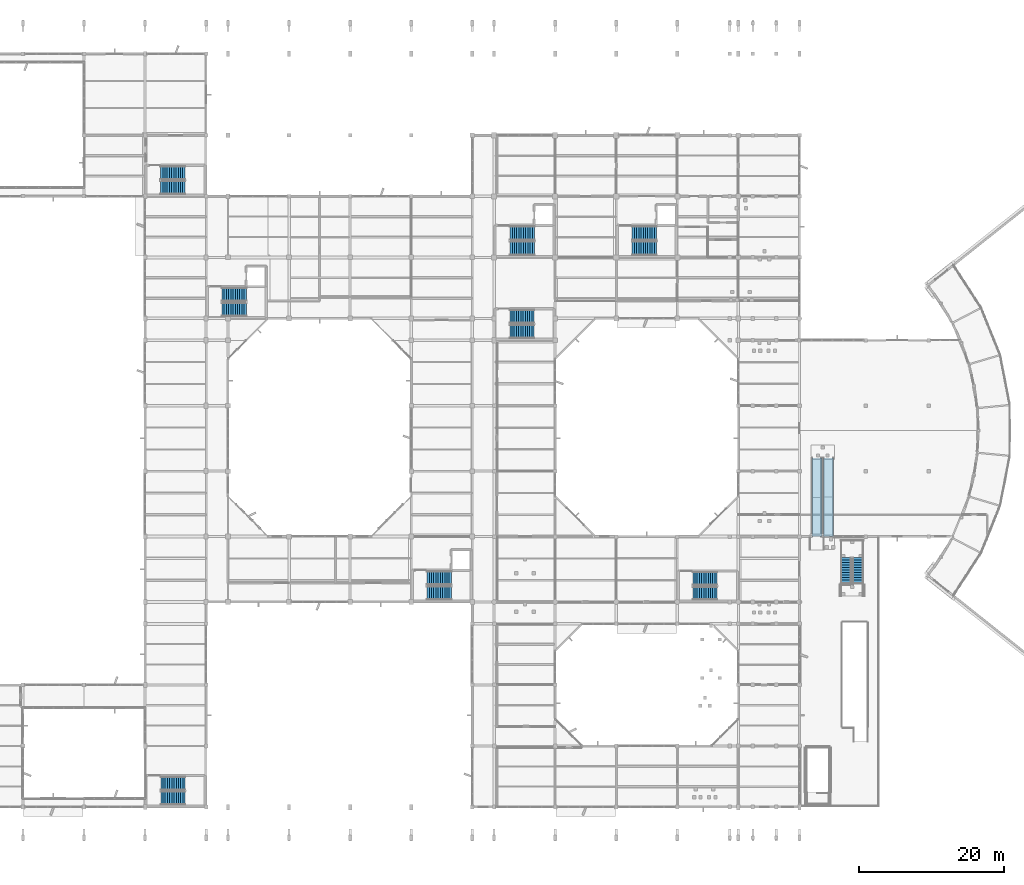
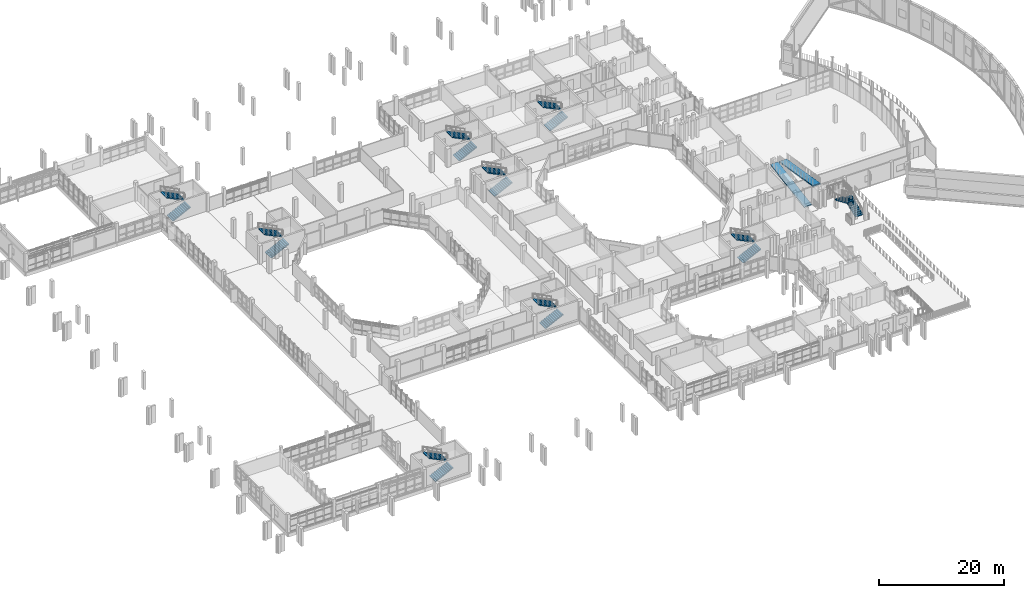
# One storey, part 74 of 104: 18 stair flights, 2 ramp flights, 10 elements without a shape of their own.
"""IFC4 building model written with IfcOpenShell, lengths in metres."""

from ifc_helpers import new_model, si_unit, direction, frame, origin, place, context, subcontext, project, spatial, polyline, outline, extrude, material, layer, layer_set, type_object, element, aggregate, save


model = new_model("IFC4")

# Units and contexts
model_context = context("Model", 3, precision=1e-05, world=origin(), true_north=direction((0.0, 1.0)))
body_context = subcontext(model_context, "Body", "Model", "MODEL_VIEW")
ifc_project = project(units=[si_unit("LENGTHUNIT", "METRE"), si_unit("AREAUNIT", "SQUARE_METRE"), si_unit("VOLUMEUNIT", "CUBIC_METRE"), si_unit("PLANEANGLEUNIT", "RADIAN"), si_unit("MASSUNIT", "GRAM", prefix="KILO")], contexts=[model_context])

# Site, building, storey
site_placement = place(None, origin())
site = spatial("IfcSite", under=ifc_project, at=site_placement, CompositionType="ELEMENT")
building_placement = place(site_placement, origin())
building = spatial("IfcBuilding", under=site, at=building_placement, Name="Vanh Quang Courtyard School", CompositionType="ELEMENT")
storey_placement = place(building_placement, frame((0.0, 0.0, 4.199951171875)))
storey = spatial("IfcBuildingStorey", under=building, at=storey_placement, Name="L01", CompositionType="ELEMENT", Elevation=4.199951171875)

# Stair, stair flights
ifc_material = material(Name="Concrete C30/37", Category="concrete")
stair_type_1 = type_object("IfcStairType", Name="STR-CORE-1450", PredefinedType="HALF_TURN_STAIR", material=ifc_material)
stair_1_placement = place(storey_placement, origin())
stair_1 = element("IfcStair", 1, at=stair_1_placement, inside=storey, type_object=stair_type_1, Name="L01 ST-T2", PredefinedType="HALF_TURN_STAIR")
stair_flight_type_1 = type_object("IfcStairFlightType", Name="FLT-CORE-1450", PredefinedType="STRAIGHT", material=ifc_material)
stair_flight_1_placement = place(storey_placement, frame((127.47509765625, 34.75, 0.0), z_axis=(0.0, 0.0, 1.0), x_axis=(0.0, 1.0, 0.0)))
stair_flight_1 = element("IfcStairFlight", 2, at=stair_flight_1_placement, type_object=stair_flight_type_1, Name="ST-T2 flight 1", NumberOfRisers=12, NumberOfTreads=11, PredefinedType="STRAIGHT", RiserHeight=0.15, TreadLength=0.34, context=body_context, shape_type="SweptSolid", body=[
    extrude(outline(polyline([(0.0, 0.0), (0.0, 0.14990234375), (0.340087890625, 0.14990234375), (0.340087890625, 0.300048828125), (0.679931640625, 0.300048828125), (0.679931640625, 0.449951171875), (1.02001953125, 0.449951171875), (1.02001953125, 0.60009765625), (1.360107421875, 0.60009765625), (1.360107421875, 0.75), (1.699951171875, 0.75), (1.699951171875, 0.89990234375), (2.0400390625, 0.89990234375), (2.0400390625, 1.050048828125), (2.3798828125, 1.050048828125), (2.3798828125, 1.199951171875), (2.719970703125, 1.199951171875), (2.719970703125, 1.35009765625), (3.06005859375, 1.35009765625), (3.06005859375, 1.5), (3.39990234375, 1.5), (3.39990234375, 1.64990234375), (3.739990234375, 1.64990234375), (3.739990234375, 1.800048828125), (3.739990234375, 1.486083984375), (0.371337890625, 0.0), (0.0, 0.0)])), frame((0.0, 0.72509765625, 0.0), z_axis=(0.0, -1.0, 0.0), x_axis=(1.0, 0.0, 0.0)), (0.0, 0.0, 1.0), 1.449951171875),
])
stair_flight_2_placement = place(storey_placement, frame((125.824951171875, 38.489990234375, 1.800048828125), z_axis=(0.0, 0.0, 1.0), x_axis=(0.0, -1.0, 0.0)))
stair_flight_2 = element("IfcStairFlight", 3, at=stair_flight_2_placement, type_object=stair_flight_type_1, Name="ST-T2 flight 2", NumberOfRisers=12, NumberOfTreads=11, PredefinedType="STRAIGHT", RiserHeight=0.15, TreadLength=0.34, context=body_context, shape_type="SweptSolid", body=[
    extrude(outline(polyline([(0.0, 0.0), (0.0, 0.14990234375), (0.340087890625, 0.14990234375), (0.340087890625, 0.300048828125), (0.679931640625, 0.300048828125), (0.679931640625, 0.449951171875), (1.02001953125, 0.449951171875), (1.02001953125, 0.60009765625), (1.360107421875, 0.60009765625), (1.360107421875, 0.75), (1.699951171875, 0.75), (1.699951171875, 0.89990234375), (2.0400390625, 0.89990234375), (2.0400390625, 1.050048828125), (2.3798828125, 1.050048828125), (2.3798828125, 1.199951171875), (2.719970703125, 1.199951171875), (2.719970703125, 1.35009765625), (3.06005859375, 1.35009765625), (3.06005859375, 1.5), (3.39990234375, 1.5), (3.39990234375, 1.64990234375), (3.739990234375, 1.64990234375), (3.739990234375, 1.800048828125), (3.739990234375, 1.486083984375), (0.371337890625, 0.0), (0.0, 0.0)])), frame((0.0, 0.72509765625, 0.0), z_axis=(0.0, -1.0, 0.0), x_axis=(1.0, 0.0, 0.0)), (0.0, 0.0, 1.0), 1.449951171875),
])
aggregate(stair_1, [stair_flight_1, stair_flight_2])

stair_type_2 = type_object("IfcStairType", Name="STR-CORE-1850", PredefinedType="HALF_TURN_STAIR", material=ifc_material)
stair_2_placement = place(storey_placement, origin())
stair_2 = element("IfcStair", 4, at=stair_2_placement, inside=storey, type_object=stair_type_2, Name="L01 ST-07", PredefinedType="HALF_TURN_STAIR")
stair_flight_type_2 = type_object("IfcStairFlightType", Name="FLT-CORE-1850", PredefinedType="STRAIGHT", material=ifc_material)
stair_flight_3_placement = place(storey_placement, frame((31.530029296875, 89.405029296875, 0.0), z_axis=(0.0, 0.0, 1.0), x_axis=(1.0, 0.0, 0.0)))
stair_flight_3 = element("IfcStairFlight", 5, at=stair_flight_3_placement, type_object=stair_flight_type_2, Name="ST-07 flight 1", NumberOfRisers=12, NumberOfTreads=11, PredefinedType="STRAIGHT", RiserHeight=0.15, TreadLength=0.305, context=body_context, shape_type="SweptSolid", body=[
    extrude(outline(polyline([(0.0, 0.0), (0.0, 0.14990234375), (0.304931640625, 0.14990234375), (0.304931640625, 0.300048828125), (0.610107421875, 0.300048828125), (0.610107421875, 0.449951171875), (0.9150390625, 0.449951171875), (0.9150390625, 0.60009765625), (1.219970703125, 0.60009765625), (1.219970703125, 0.75), (1.52490234375, 0.75), (1.52490234375, 0.89990234375), (1.830078125, 0.89990234375), (1.830078125, 1.050048828125), (2.135009765625, 1.050048828125), (2.135009765625, 1.199951171875), (2.43994140625, 1.199951171875), (2.43994140625, 1.35009765625), (2.7451171875, 1.35009765625), (2.7451171875, 1.5), (3.050048828125, 1.5), (3.050048828125, 1.64990234375), (3.35498046875, 1.64990234375), (3.35498046875, 1.800048828125), (3.35498046875, 1.48291015625), (0.339599609375, 0.0), (0.0, 0.0)])), frame((0.0, 0.925048828125, 0.0), z_axis=(0.0, -1.0, 0.0), x_axis=(1.0, 0.0, 0.0)), (0.0, 0.0, 1.0), 1.85009765625),
])
stair_flight_4_placement = place(storey_placement, frame((34.885009765625, 91.4150390625, 1.800048828125), z_axis=(0.0, 0.0, 1.0), x_axis=(-1.0, 0.0, 0.0)))
stair_flight_4 = element("IfcStairFlight", 6, at=stair_flight_4_placement, type_object=stair_flight_type_2, Name="ST-07 flight 2", NumberOfRisers=12, NumberOfTreads=11, PredefinedType="STRAIGHT", RiserHeight=0.15, TreadLength=0.305, context=body_context, shape_type="SweptSolid", body=[
    extrude(outline(polyline([(0.0, 0.0), (0.0, 0.14990234375), (0.304931640625, 0.14990234375), (0.304931640625, 0.300048828125), (0.610107421875, 0.300048828125), (0.610107421875, 0.449951171875), (0.9150390625, 0.449951171875), (0.9150390625, 0.60009765625), (1.219970703125, 0.60009765625), (1.219970703125, 0.75), (1.52490234375, 0.75), (1.52490234375, 0.89990234375), (1.830078125, 0.89990234375), (1.830078125, 1.050048828125), (2.135009765625, 1.050048828125), (2.135009765625, 1.199951171875), (2.43994140625, 1.199951171875), (2.43994140625, 1.35009765625), (2.7451171875, 1.35009765625), (2.7451171875, 1.5), (3.050048828125, 1.5), (3.050048828125, 1.64990234375), (3.35498046875, 1.64990234375), (3.35498046875, 1.800048828125), (3.35498046875, 1.48291015625), (0.339599609375, 0.0), (0.0, 0.0)])), frame((0.0, 0.925048828125, 0.0), z_axis=(0.0, -1.0, 0.0), x_axis=(1.0, 0.0, 0.0)), (0.0, 0.0, 1.0), 1.85009765625),
])
aggregate(stair_2, [stair_flight_3, stair_flight_4])

stair_3_placement = place(storey_placement, origin())
stair_3 = element("IfcStair", 7, at=stair_3_placement, inside=storey, type_object=stair_type_2, Name="L01 ST-08", PredefinedType="HALF_TURN_STAIR")
stair_flight_5_placement = place(storey_placement, frame((104.72998046875, 33.60498046875, 0.0), z_axis=(0.0, 0.0, 1.0), x_axis=(1.0, 0.0, 0.0)))
stair_flight_5 = element("IfcStairFlight", 8, at=stair_flight_5_placement, type_object=stair_flight_type_2, Name="ST-08 flight 1", NumberOfRisers=12, NumberOfTreads=11, PredefinedType="STRAIGHT", RiserHeight=0.15, TreadLength=0.305, context=body_context, shape_type="SweptSolid", body=[
    extrude(outline(polyline([(0.0, 0.0), (0.0, 0.14990234375), (0.304931640625, 0.14990234375), (0.304931640625, 0.300048828125), (0.610107421875, 0.300048828125), (0.610107421875, 0.449951171875), (0.9150390625, 0.449951171875), (0.9150390625, 0.60009765625), (1.219970703125, 0.60009765625), (1.219970703125, 0.75), (1.52490234375, 0.75), (1.52490234375, 0.89990234375), (1.830078125, 0.89990234375), (1.830078125, 1.050048828125), (2.135009765625, 1.050048828125), (2.135009765625, 1.199951171875), (2.43994140625, 1.199951171875), (2.43994140625, 1.35009765625), (2.7451171875, 1.35009765625), (2.7451171875, 1.5), (3.050048828125, 1.5), (3.050048828125, 1.64990234375), (3.35498046875, 1.64990234375), (3.35498046875, 1.800048828125), (3.35498046875, 1.48291015625), (0.339599609375, 0.0), (0.0, 0.0)])), frame((0.0, 0.925048828125, 0.0), z_axis=(0.0, -1.0, 0.0), x_axis=(1.0, 0.0, 0.0)), (0.0, 0.0, 1.0), 1.85009765625),
])
stair_flight_6_placement = place(storey_placement, frame((108.0849609375, 35.614990234375, 1.800048828125), z_axis=(0.0, 0.0, 1.0), x_axis=(-1.0, 0.0, 0.0)))
stair_flight_6 = element("IfcStairFlight", 9, at=stair_flight_6_placement, type_object=stair_flight_type_2, Name="ST-08 flight 2", NumberOfRisers=12, NumberOfTreads=11, PredefinedType="STRAIGHT", RiserHeight=0.15, TreadLength=0.305, context=body_context, shape_type="SweptSolid", body=[
    extrude(outline(polyline([(0.0, 0.0), (0.0, 0.14990234375), (0.304931640625, 0.14990234375), (0.304931640625, 0.300048828125), (0.610107421875, 0.300048828125), (0.610107421875, 0.449951171875), (0.9150390625, 0.449951171875), (0.9150390625, 0.60009765625), (1.219970703125, 0.60009765625), (1.219970703125, 0.75), (1.52490234375, 0.75), (1.52490234375, 0.89990234375), (1.830078125, 0.89990234375), (1.830078125, 1.050048828125), (2.135009765625, 1.050048828125), (2.135009765625, 1.199951171875), (2.43994140625, 1.199951171875), (2.43994140625, 1.35009765625), (2.7451171875, 1.35009765625), (2.7451171875, 1.5), (3.050048828125, 1.5), (3.050048828125, 1.64990234375), (3.35498046875, 1.64990234375), (3.35498046875, 1.800048828125), (3.35498046875, 1.48291015625), (0.339599609375, 0.0), (0.0, 0.0)])), frame((0.0, 0.925048828125, 0.0), z_axis=(0.0, -1.0, 0.0), x_axis=(1.0, 0.0, 0.0)), (0.0, 0.0, 1.0), 1.85009765625),
])
aggregate(stair_3, [stair_flight_5, stair_flight_6])

stair_type_3 = type_object("IfcStairType", Name="STR-CORE-1880", PredefinedType="HALF_TURN_STAIR", material=ifc_material)
stair_4_placement = place(storey_placement, origin())
stair_4 = element("IfcStair", 10, at=stair_4_placement, inside=storey, type_object=stair_type_3, Name="L01 ST-05", PredefinedType="HALF_TURN_STAIR")
stair_flight_type_3 = type_object("IfcStairFlightType", Name="FLT-CORE-1880", PredefinedType="STRAIGHT", material=ifc_material)
stair_flight_7_placement = place(storey_placement, frame((79.56005859375, 69.6201171875, 0.0), z_axis=(0.0, 0.0, 1.0), x_axis=(1.0, 0.0, 0.0)))
stair_flight_7 = element("IfcStairFlight", 11, at=stair_flight_7_placement, type_object=stair_flight_type_3, Name="ST-05 flight 1", NumberOfRisers=12, NumberOfTreads=11, PredefinedType="STRAIGHT", RiserHeight=0.15, TreadLength=0.305, context=body_context, shape_type="SweptSolid", body=[
    extrude(outline(polyline([(0.0, 0.0), (0.0, 0.14990234375), (0.304931640625, 0.14990234375), (0.304931640625, 0.300048828125), (0.610107421875, 0.300048828125), (0.610107421875, 0.449951171875), (0.9150390625, 0.449951171875), (0.9150390625, 0.60009765625), (1.219970703125, 0.60009765625), (1.219970703125, 0.75), (1.52490234375, 0.75), (1.52490234375, 0.89990234375), (1.830078125, 0.89990234375), (1.830078125, 1.050048828125), (2.135009765625, 1.050048828125), (2.135009765625, 1.199951171875), (2.43994140625, 1.199951171875), (2.43994140625, 1.35009765625), (2.7451171875, 1.35009765625), (2.7451171875, 1.5), (3.050048828125, 1.5), (3.050048828125, 1.64990234375), (3.35498046875, 1.64990234375), (3.35498046875, 1.800048828125), (3.35498046875, 1.48291015625), (0.339599609375, 0.0), (0.0, 0.0)])), frame((0.0, 0.93994140625, 0.0), z_axis=(0.0, -1.0, 0.0), x_axis=(1.0, 0.0, 0.0)), (0.0, 0.0, 1.0), 1.8798828125),
])
stair_flight_8_placement = place(storey_placement, frame((82.9150390625, 71.659912109375, 1.800048828125), z_axis=(0.0, 0.0, 1.0), x_axis=(-1.0, 0.0, 0.0)))
stair_flight_8 = element("IfcStairFlight", 12, at=stair_flight_8_placement, type_object=stair_flight_type_3, Name="ST-05 flight 2", NumberOfRisers=12, NumberOfTreads=11, PredefinedType="STRAIGHT", RiserHeight=0.15, TreadLength=0.305, context=body_context, shape_type="SweptSolid", body=[
    extrude(outline(polyline([(0.0, 0.0), (0.0, 0.14990234375), (0.304931640625, 0.14990234375), (0.304931640625, 0.300048828125), (0.610107421875, 0.300048828125), (0.610107421875, 0.449951171875), (0.9150390625, 0.449951171875), (0.9150390625, 0.60009765625), (1.219970703125, 0.60009765625), (1.219970703125, 0.75), (1.52490234375, 0.75), (1.52490234375, 0.89990234375), (1.830078125, 0.89990234375), (1.830078125, 1.050048828125), (2.135009765625, 1.050048828125), (2.135009765625, 1.199951171875), (2.43994140625, 1.199951171875), (2.43994140625, 1.35009765625), (2.7451171875, 1.35009765625), (2.7451171875, 1.5), (3.050048828125, 1.5), (3.050048828125, 1.64990234375), (3.35498046875, 1.64990234375), (3.35498046875, 1.800048828125), (3.35498046875, 1.48291015625), (0.339599609375, 0.0), (0.0, 0.0)])), frame((0.0, 0.93994140625, 0.0), z_axis=(0.0, -1.0, 0.0), x_axis=(1.0, 0.0, 0.0)), (0.0, 0.0, 1.0), 1.8798828125),
])
aggregate(stair_4, [stair_flight_7, stair_flight_8])

stair_5_placement = place(storey_placement, origin())
stair_5 = element("IfcStair", 13, at=stair_5_placement, inside=storey, type_object=stair_type_3, Name="L01 ST-06", PredefinedType="HALF_TURN_STAIR")
stair_flight_9_placement = place(storey_placement, frame((31.56005859375, 5.419921875, 0.0), z_axis=(0.0, 0.0, 1.0), x_axis=(1.0, 0.0, 0.0)))
stair_flight_9 = element("IfcStairFlight", 14, at=stair_flight_9_placement, type_object=stair_flight_type_3, Name="ST-06 flight 1", NumberOfRisers=12, NumberOfTreads=11, PredefinedType="STRAIGHT", RiserHeight=0.15, TreadLength=0.305, context=body_context, shape_type="SweptSolid", body=[
    extrude(outline(polyline([(0.0, 0.0), (0.0, 0.14990234375), (0.304931640625, 0.14990234375), (0.304931640625, 0.300048828125), (0.610107421875, 0.300048828125), (0.610107421875, 0.449951171875), (0.9150390625, 0.449951171875), (0.9150390625, 0.60009765625), (1.219970703125, 0.60009765625), (1.219970703125, 0.75), (1.52490234375, 0.75), (1.52490234375, 0.89990234375), (1.830078125, 0.89990234375), (1.830078125, 1.050048828125), (2.135009765625, 1.050048828125), (2.135009765625, 1.199951171875), (2.43994140625, 1.199951171875), (2.43994140625, 1.35009765625), (2.7451171875, 1.35009765625), (2.7451171875, 1.5), (3.050048828125, 1.5), (3.050048828125, 1.64990234375), (3.35498046875, 1.64990234375), (3.35498046875, 1.800048828125), (3.35498046875, 1.48291015625), (0.339599609375, 0.0), (0.0, 0.0)])), frame((0.0, 0.93994140625, 0.0), z_axis=(0.0, -1.0, 0.0), x_axis=(1.0, 0.0, 0.0)), (0.0, 0.0, 1.0), 1.8798828125),
])
stair_flight_10_placement = place(storey_placement, frame((34.9150390625, 7.4599609375, 1.800048828125), z_axis=(0.0, 0.0, 1.0), x_axis=(-1.0, 0.0, 0.0)))
stair_flight_10 = element("IfcStairFlight", 15, at=stair_flight_10_placement, type_object=stair_flight_type_3, Name="ST-06 flight 2", NumberOfRisers=12, NumberOfTreads=11, PredefinedType="STRAIGHT", RiserHeight=0.15, TreadLength=0.305, context=body_context, shape_type="SweptSolid", body=[
    extrude(outline(polyline([(0.0, 0.0), (0.0, 0.14990234375), (0.304931640625, 0.14990234375), (0.304931640625, 0.300048828125), (0.610107421875, 0.300048828125), (0.610107421875, 0.449951171875), (0.9150390625, 0.449951171875), (0.9150390625, 0.60009765625), (1.219970703125, 0.60009765625), (1.219970703125, 0.75), (1.52490234375, 0.75), (1.52490234375, 0.89990234375), (1.830078125, 0.89990234375), (1.830078125, 1.050048828125), (2.135009765625, 1.050048828125), (2.135009765625, 1.199951171875), (2.43994140625, 1.199951171875), (2.43994140625, 1.35009765625), (2.7451171875, 1.35009765625), (2.7451171875, 1.5), (3.050048828125, 1.5), (3.050048828125, 1.64990234375), (3.35498046875, 1.64990234375), (3.35498046875, 1.800048828125), (3.35498046875, 1.48291015625), (0.339599609375, 0.0), (0.0, 0.0)])), frame((0.0, 0.93994140625, 0.0), z_axis=(0.0, -1.0, 0.0), x_axis=(1.0, 0.0, 0.0)), (0.0, 0.0, 1.0), 1.8798828125),
])
aggregate(stair_5, [stair_flight_9, stair_flight_10])

stair_type_4 = type_object("IfcStairType", Name="STR-CORE-1900", PredefinedType="HALF_TURN_STAIR", material=ifc_material)
stair_6_placement = place(storey_placement, origin())
stair_6 = element("IfcStair", 16, at=stair_6_placement, inside=storey, type_object=stair_type_4, Name="L01 ST-03", PredefinedType="HALF_TURN_STAIR")
stair_flight_type_4 = type_object("IfcStairFlightType", Name="FLT-CORE-1900", PredefinedType="STRAIGHT", material=ifc_material)
stair_flight_11_placement = place(storey_placement, frame((39.97998046875, 72.6298828125, 0.0), z_axis=(0.0, 0.0, 1.0), x_axis=(1.0, 0.0, 0.0)))
stair_flight_11 = element("IfcStairFlight", 17, at=stair_flight_11_placement, type_object=stair_flight_type_4, Name="ST-03 flight 1", NumberOfRisers=12, NumberOfTreads=11, PredefinedType="STRAIGHT", RiserHeight=0.15, TreadLength=0.305, context=body_context, shape_type="SweptSolid", body=[
    extrude(outline(polyline([(0.0, 0.0), (0.0, 0.14990234375), (0.304931640625, 0.14990234375), (0.304931640625, 0.300048828125), (0.610107421875, 0.300048828125), (0.610107421875, 0.449951171875), (0.9150390625, 0.449951171875), (0.9150390625, 0.60009765625), (1.219970703125, 0.60009765625), (1.219970703125, 0.75), (1.52490234375, 0.75), (1.52490234375, 0.89990234375), (1.830078125, 0.89990234375), (1.830078125, 1.050048828125), (2.135009765625, 1.050048828125), (2.135009765625, 1.199951171875), (2.43994140625, 1.199951171875), (2.43994140625, 1.35009765625), (2.7451171875, 1.35009765625), (2.7451171875, 1.5), (3.050048828125, 1.5), (3.050048828125, 1.64990234375), (3.35498046875, 1.64990234375), (3.35498046875, 1.800048828125), (3.35498046875, 1.48291015625), (0.339599609375, 0.0), (0.0, 0.0)])), frame((0.0, 0.949951171875, 0.0), z_axis=(0.0, -1.0, 0.0), x_axis=(1.0, 0.0, 0.0)), (0.0, 0.0, 1.0), 1.89990234375),
])
stair_flight_12_placement = place(storey_placement, frame((43.3349609375, 74.68994140625, 1.800048828125), z_axis=(0.0, 0.0, 1.0), x_axis=(-1.0, 0.0, 0.0)))
stair_flight_12 = element("IfcStairFlight", 18, at=stair_flight_12_placement, type_object=stair_flight_type_4, Name="ST-03 flight 2", NumberOfRisers=12, NumberOfTreads=11, PredefinedType="STRAIGHT", RiserHeight=0.15, TreadLength=0.305, context=body_context, shape_type="SweptSolid", body=[
    extrude(outline(polyline([(0.0, 0.0), (0.0, 0.14990234375), (0.304931640625, 0.14990234375), (0.304931640625, 0.300048828125), (0.610107421875, 0.300048828125), (0.610107421875, 0.449951171875), (0.9150390625, 0.449951171875), (0.9150390625, 0.60009765625), (1.219970703125, 0.60009765625), (1.219970703125, 0.75), (1.52490234375, 0.75), (1.52490234375, 0.89990234375), (1.830078125, 0.89990234375), (1.830078125, 1.050048828125), (2.135009765625, 1.050048828125), (2.135009765625, 1.199951171875), (2.43994140625, 1.199951171875), (2.43994140625, 1.35009765625), (2.7451171875, 1.35009765625), (2.7451171875, 1.5), (3.050048828125, 1.5), (3.050048828125, 1.64990234375), (3.35498046875, 1.64990234375), (3.35498046875, 1.800048828125), (3.35498046875, 1.48291015625), (0.339599609375, 0.0), (0.0, 0.0)])), frame((0.0, 0.949951171875, 0.0), z_axis=(0.0, -1.0, 0.0), x_axis=(1.0, 0.0, 0.0)), (0.0, 0.0, 1.0), 1.89990234375),
])
aggregate(stair_6, [stair_flight_11, stair_flight_12])

stair_7_placement = place(storey_placement, origin())
stair_7 = element("IfcStair", 19, at=stair_7_placement, inside=storey, type_object=stair_type_4, Name="L01 ST-04", PredefinedType="HALF_TURN_STAIR")
stair_flight_13_placement = place(storey_placement, frame((68.179931640625, 33.6298828125, 0.0), z_axis=(0.0, 0.0, 1.0), x_axis=(1.0, 0.0, 0.0)))
stair_flight_13 = element("IfcStairFlight", 20, at=stair_flight_13_placement, type_object=stair_flight_type_4, Name="ST-04 flight 1", NumberOfRisers=12, NumberOfTreads=11, PredefinedType="STRAIGHT", RiserHeight=0.15, TreadLength=0.305, context=body_context, shape_type="SweptSolid", body=[
    extrude(outline(polyline([(0.0, 0.0), (0.0, 0.14990234375), (0.304931640625, 0.14990234375), (0.304931640625, 0.300048828125), (0.610107421875, 0.300048828125), (0.610107421875, 0.449951171875), (0.9150390625, 0.449951171875), (0.9150390625, 0.60009765625), (1.219970703125, 0.60009765625), (1.219970703125, 0.75), (1.52490234375, 0.75), (1.52490234375, 0.89990234375), (1.830078125, 0.89990234375), (1.830078125, 1.050048828125), (2.135009765625, 1.050048828125), (2.135009765625, 1.199951171875), (2.43994140625, 1.199951171875), (2.43994140625, 1.35009765625), (2.7451171875, 1.35009765625), (2.7451171875, 1.5), (3.050048828125, 1.5), (3.050048828125, 1.64990234375), (3.35498046875, 1.64990234375), (3.35498046875, 1.800048828125), (3.35498046875, 1.48291015625), (0.339599609375, 0.0), (0.0, 0.0)])), frame((0.0, 0.949951171875, 0.0), z_axis=(0.0, -1.0, 0.0), x_axis=(1.0, 0.0, 0.0)), (0.0, 0.0, 1.0), 1.89990234375),
])
stair_flight_14_placement = place(storey_placement, frame((71.534912109375, 35.68994140625, 1.800048828125), z_axis=(0.0, 0.0, 1.0), x_axis=(-1.0, 0.0, 0.0)))
stair_flight_14 = element("IfcStairFlight", 21, at=stair_flight_14_placement, type_object=stair_flight_type_4, Name="ST-04 flight 2", NumberOfRisers=12, NumberOfTreads=11, PredefinedType="STRAIGHT", RiserHeight=0.15, TreadLength=0.305, context=body_context, shape_type="SweptSolid", body=[
    extrude(outline(polyline([(0.0, 0.0), (0.0, 0.14990234375), (0.304931640625, 0.14990234375), (0.304931640625, 0.300048828125), (0.610107421875, 0.300048828125), (0.610107421875, 0.449951171875), (0.9150390625, 0.449951171875), (0.9150390625, 0.60009765625), (1.219970703125, 0.60009765625), (1.219970703125, 0.75), (1.52490234375, 0.75), (1.52490234375, 0.89990234375), (1.830078125, 0.89990234375), (1.830078125, 1.050048828125), (2.135009765625, 1.050048828125), (2.135009765625, 1.199951171875), (2.43994140625, 1.199951171875), (2.43994140625, 1.35009765625), (2.7451171875, 1.35009765625), (2.7451171875, 1.5), (3.050048828125, 1.5), (3.050048828125, 1.64990234375), (3.35498046875, 1.64990234375), (3.35498046875, 1.800048828125), (3.35498046875, 1.48291015625), (0.339599609375, 0.0), (0.0, 0.0)])), frame((0.0, 0.949951171875, 0.0), z_axis=(0.0, -1.0, 0.0), x_axis=(1.0, 0.0, 0.0)), (0.0, 0.0, 1.0), 1.89990234375),
])
aggregate(stair_7, [stair_flight_13, stair_flight_14])

stair_type_5 = type_object("IfcStairType", Name="STR-CORE-1920", PredefinedType="HALF_TURN_STAIR", material=ifc_material)
stair_8_placement = place(storey_placement, origin())
stair_8 = element("IfcStair", 22, at=stair_8_placement, inside=storey, type_object=stair_type_5, Name="L01 ST-01", PredefinedType="HALF_TURN_STAIR")
stair_flight_type_5 = type_object("IfcStairFlightType", Name="FLT-CORE-1920", PredefinedType="STRAIGHT", material=ifc_material)
stair_flight_15_placement = place(storey_placement, frame((79.60009765625, 81.0400390625, 0.0), z_axis=(0.0, 0.0, 1.0), x_axis=(1.0, 0.0, 0.0)))
stair_flight_15 = element("IfcStairFlight", 23, at=stair_flight_15_placement, type_object=stair_flight_type_5, Name="ST-01 flight 1", NumberOfRisers=12, NumberOfTreads=11, PredefinedType="STRAIGHT", RiserHeight=0.15, TreadLength=0.305, context=body_context, shape_type="SweptSolid", body=[
    extrude(outline(polyline([(0.0, 0.0), (0.0, 0.14990234375), (0.304931640625, 0.14990234375), (0.304931640625, 0.300048828125), (0.610107421875, 0.300048828125), (0.610107421875, 0.449951171875), (0.9150390625, 0.449951171875), (0.9150390625, 0.60009765625), (1.219970703125, 0.60009765625), (1.219970703125, 0.75), (1.52490234375, 0.75), (1.52490234375, 0.89990234375), (1.830078125, 0.89990234375), (1.830078125, 1.050048828125), (2.135009765625, 1.050048828125), (2.135009765625, 1.199951171875), (2.43994140625, 1.199951171875), (2.43994140625, 1.35009765625), (2.7451171875, 1.35009765625), (2.7451171875, 1.5), (3.050048828125, 1.5), (3.050048828125, 1.64990234375), (3.35498046875, 1.64990234375), (3.35498046875, 1.800048828125), (3.35498046875, 1.48291015625), (0.339599609375, 0.0), (0.0, 0.0)])), frame((0.0, 0.9599609375, 0.0), z_axis=(0.0, -1.0, 0.0), x_axis=(1.0, 0.0, 0.0)), (0.0, 0.0, 1.0), 1.919921875),
])
stair_flight_16_placement = place(storey_placement, frame((82.955078125, 83.1201171875, 1.800048828125), z_axis=(0.0, 0.0, 1.0), x_axis=(-1.0, 0.0, 0.0)))
stair_flight_16 = element("IfcStairFlight", 24, at=stair_flight_16_placement, type_object=stair_flight_type_5, Name="ST-01 flight 2", NumberOfRisers=12, NumberOfTreads=11, PredefinedType="STRAIGHT", RiserHeight=0.15, TreadLength=0.305, context=body_context, shape_type="SweptSolid", body=[
    extrude(outline(polyline([(0.0, 0.0), (0.0, 0.14990234375), (0.304931640625, 0.14990234375), (0.304931640625, 0.300048828125), (0.610107421875, 0.300048828125), (0.610107421875, 0.449951171875), (0.9150390625, 0.449951171875), (0.9150390625, 0.60009765625), (1.219970703125, 0.60009765625), (1.219970703125, 0.75), (1.52490234375, 0.75), (1.52490234375, 0.89990234375), (1.830078125, 0.89990234375), (1.830078125, 1.050048828125), (2.135009765625, 1.050048828125), (2.135009765625, 1.199951171875), (2.43994140625, 1.199951171875), (2.43994140625, 1.35009765625), (2.7451171875, 1.35009765625), (2.7451171875, 1.5), (3.050048828125, 1.5), (3.050048828125, 1.64990234375), (3.35498046875, 1.64990234375), (3.35498046875, 1.800048828125), (3.35498046875, 1.48291015625), (0.339599609375, 0.0), (0.0, 0.0)])), frame((0.0, 0.9599609375, 0.0), z_axis=(0.0, -1.0, 0.0), x_axis=(1.0, 0.0, 0.0)), (0.0, 0.0, 1.0), 1.919921875),
])
aggregate(stair_8, [stair_flight_15, stair_flight_16])

stair_9_placement = place(storey_placement, origin())
stair_9 = element("IfcStair", 25, at=stair_9_placement, inside=storey, type_object=stair_type_5, Name="L01 ST-02", PredefinedType="HALF_TURN_STAIR")
stair_flight_17_placement = place(storey_placement, frame((96.39990234375, 81.0400390625, 0.0), z_axis=(0.0, 0.0, 1.0), x_axis=(1.0, 0.0, 0.0)))
stair_flight_17 = element("IfcStairFlight", 26, at=stair_flight_17_placement, type_object=stair_flight_type_5, Name="ST-02 flight 1", NumberOfRisers=12, NumberOfTreads=11, PredefinedType="STRAIGHT", RiserHeight=0.15, TreadLength=0.305, context=body_context, shape_type="SweptSolid", body=[
    extrude(outline(polyline([(0.0, 0.0), (0.0, 0.14990234375), (0.304931640625, 0.14990234375), (0.304931640625, 0.300048828125), (0.610107421875, 0.300048828125), (0.610107421875, 0.449951171875), (0.9150390625, 0.449951171875), (0.9150390625, 0.60009765625), (1.219970703125, 0.60009765625), (1.219970703125, 0.75), (1.52490234375, 0.75), (1.52490234375, 0.89990234375), (1.830078125, 0.89990234375), (1.830078125, 1.050048828125), (2.135009765625, 1.050048828125), (2.135009765625, 1.199951171875), (2.43994140625, 1.199951171875), (2.43994140625, 1.35009765625), (2.7451171875, 1.35009765625), (2.7451171875, 1.5), (3.050048828125, 1.5), (3.050048828125, 1.64990234375), (3.35498046875, 1.64990234375), (3.35498046875, 1.800048828125), (3.35498046875, 1.48291015625), (0.339599609375, 0.0), (0.0, 0.0)])), frame((0.0, 0.9599609375, 0.0), z_axis=(0.0, -1.0, 0.0), x_axis=(1.0, 0.0, 0.0)), (0.0, 0.0, 1.0), 1.919921875),
])
stair_flight_18_placement = place(storey_placement, frame((99.7548828125, 83.1201171875, 1.800048828125), z_axis=(0.0, 0.0, 1.0), x_axis=(-1.0, 0.0, 0.0)))
stair_flight_18 = element("IfcStairFlight", 27, at=stair_flight_18_placement, type_object=stair_flight_type_5, Name="ST-02 flight 2", NumberOfRisers=12, NumberOfTreads=11, PredefinedType="STRAIGHT", RiserHeight=0.15, TreadLength=0.305, context=body_context, shape_type="SweptSolid", body=[
    extrude(outline(polyline([(0.0, 0.0), (0.0, 0.14990234375), (0.304931640625, 0.14990234375), (0.304931640625, 0.300048828125), (0.610107421875, 0.300048828125), (0.610107421875, 0.449951171875), (0.9150390625, 0.449951171875), (0.9150390625, 0.60009765625), (1.219970703125, 0.60009765625), (1.219970703125, 0.75), (1.52490234375, 0.75), (1.52490234375, 0.89990234375), (1.830078125, 0.89990234375), (1.830078125, 1.050048828125), (2.135009765625, 1.050048828125), (2.135009765625, 1.199951171875), (2.43994140625, 1.199951171875), (2.43994140625, 1.35009765625), (2.7451171875, 1.35009765625), (2.7451171875, 1.5), (3.050048828125, 1.5), (3.050048828125, 1.64990234375), (3.35498046875, 1.64990234375), (3.35498046875, 1.800048828125), (3.35498046875, 1.48291015625), (0.339599609375, 0.0), (0.0, 0.0)])), frame((0.0, 0.9599609375, 0.0), z_axis=(0.0, -1.0, 0.0), x_axis=(1.0, 0.0, 0.0)), (0.0, 0.0, 1.0), 1.919921875),
])
aggregate(stair_9, [stair_flight_17, stair_flight_18])

# Ramp, ramp flights
ramp_type = type_object("IfcRampType", Name="RAMP-ACC-1400", PredefinedType="TWO_STRAIGHT_RUN_RAMP", material=ifc_material)
ramp_placement = place(storey_placement, origin())
ramp = element("IfcRamp", 28, at=ramp_placement, inside=storey, type_object=ramp_type, Name="Ramp RMP-02 (L01)", PredefinedType="TWO_STRAIGHT_RUN_RAMP")
ifc_layer = layer(ifc_material, 0.219970703125)
ifc_layer_set = layer_set([ifc_layer], Name="Concrete C30/37")
ramp_flight_type = type_object("IfcRampFlightType", Name="RAMP-FLT-1400", PredefinedType="STRAIGHT", material=ifc_layer_set)
ramp_flight_1_placement = place(storey_placement, frame((121.800048828125, 41.39990234375, 0.0), z_axis=(0.0, 0.0, 1.0), x_axis=(0.0, 1.0, 0.0)))
ramp_flight_1 = element("IfcRampFlight", 29, at=ramp_flight_1_placement, type_object=ramp_flight_type, Name="Ramp Flight RF-01 (L01)", PredefinedType="STRAIGHT", context=body_context, shape_type="SweptSolid", body=[
    extrude(outline(polyline([(0.0, 0.0), (10.800048828125, 1.800048828125), (10.800048828125, 1.580078125), (0.0, -0.219970703125), (0.0, 0.0)])), frame((0.0, 0.699951171875, 0.0), z_axis=(0.0, -1.0, 0.0), x_axis=(1.0, 0.0, 0.0)), (0.0, 0.0, 1.0), 1.39990234375),
])
ramp_flight_2_placement = place(storey_placement, frame((123.39990234375, 52.199951171875, 1.800048828125), z_axis=(0.0, 0.0, 1.0), x_axis=(0.0, -1.0, 0.0)))
ramp_flight_2 = element("IfcRampFlight", 30, at=ramp_flight_2_placement, type_object=ramp_flight_type, Name="Ramp Flight RF-01 (L01)", PredefinedType="STRAIGHT", context=body_context, shape_type="SweptSolid", body=[
    extrude(outline(polyline([(0.0, 0.0), (10.800048828125, 1.800048828125), (10.800048828125, 1.580078125), (0.0, -0.219970703125), (0.0, 0.0)])), frame((0.0, 0.699951171875, 0.0), z_axis=(0.0, -1.0, 0.0), x_axis=(1.0, 0.0, 0.0)), (0.0, 0.0, 1.0), 1.39990234375),
])
aggregate(ramp, [ramp_flight_1, ramp_flight_2])

save(model, "model.ifc")
